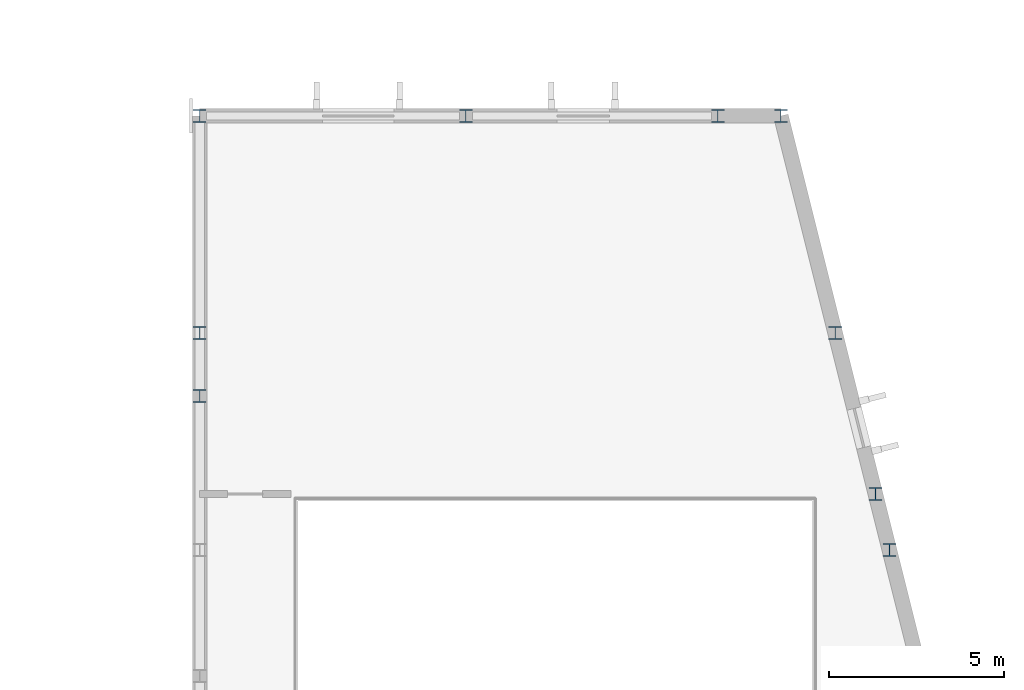
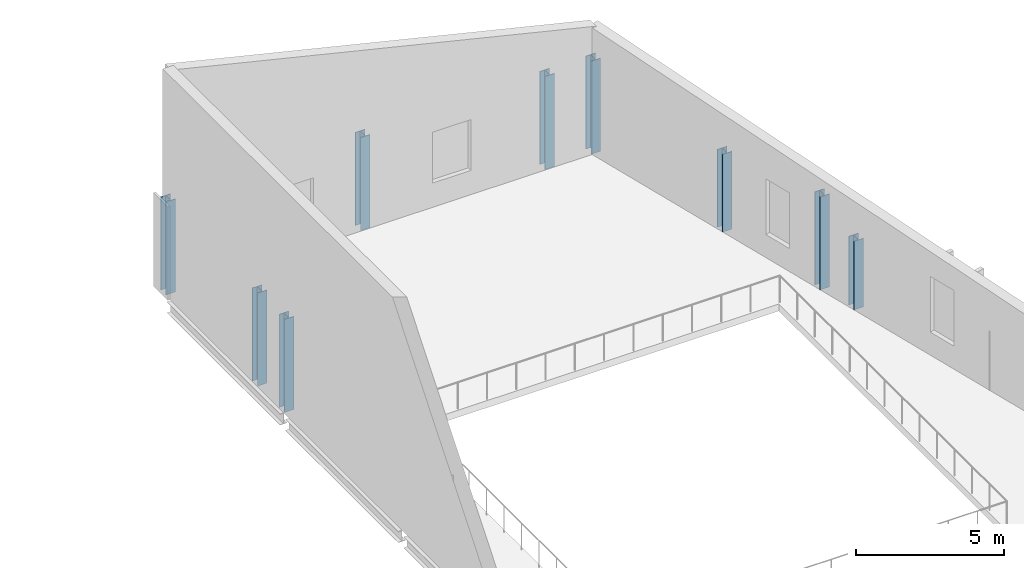
# One storey, part 10 of 64: 9 columns.
"""IFC4 building model written with IfcOpenShell, lengths in metres."""

import ifcopenshell
import ifcopenshell.guid

model = None  # the IFC model being written
_history = None  # IfcOwnerHistory: only IFC2X3 demands one
_inside = {}  # id of a spatial element -> (the spatial element, [elements in it])
_under = {}  # id of a project, library or spatial element -> (it, [spatial elements below it])
_declared = {}  # id of a project -> (the project, [libraries it declares])
_typed = {}  # id of a type object -> (the type object, [elements of that type])
_made_of = {}  # id of a material, layer set ... -> (it, [elements and type objects made of it])


def new_model(schema):
    """Start an empty IFC model of exactly this schema.

    Asked for "IFC4X3", IfcOpenShell would pick the latest addendum, in which some entities
    have other attributes; the version numbers below select the first issue.
    IFC2X3 requires an IfcOwnerHistory on every rooted entity: one is made here for all.
    """
    global model, _history
    if schema == "IFC4X3":
        model = ifcopenshell.file(schema_version=(4, 3, 0, 0))
    else:
        model = ifcopenshell.file(schema=schema)
    _inside.clear()
    _under.clear()
    _declared.clear()
    _typed.clear()
    _made_of.clear()
    _history = None
    if model.schema == "IFC2X3":
        org = make("IfcOrganization", Name="unknown")
        user = make(
            "IfcPersonAndOrganization",
            ThePerson=make("IfcPerson", FamilyName="unknown"),
            TheOrganization=org,
        )
        app = make(
            "IfcApplication",
            ApplicationDeveloper=org,
            Version="unknown",
            ApplicationFullName="unknown",
            ApplicationIdentifier="unknown",
        )
        _history = make(
            "IfcOwnerHistory",
            OwningUser=user,
            OwningApplication=app,
            ChangeAction="ADDED",
            CreationDate=0,
        )
    return model


def make(cls, **values):
    """One entity of the class cls with the attributes given. An attribute that is None is left unset."""
    return model.create_entity(
        cls, **{name: value for name, value in values.items() if value is not None}
    )


def rooted(cls, **values):
    """An entity with a GlobalId (a new one), such as an element, a storey or a relation."""
    return make(cls, GlobalId=ifcopenshell.guid.new(), OwnerHistory=_history, **values)


def si_unit(unit_type, name, prefix=None):
    """IfcSIUnit, for example si_unit("LENGTHUNIT", "METRE", prefix="MILLI")."""
    return make("IfcSIUnit", UnitType=unit_type, Prefix=prefix, Name=name)


def assignment(units):
    """IfcUnitAssignment: the units of a project."""
    return None if units is None else make("IfcUnitAssignment", Units=units)


def point(xyz):
    """IfcCartesianPoint."""
    return None if xyz is None else make("IfcCartesianPoint", Coordinates=xyz)


def direction(xyz):
    """IfcDirection."""
    return None if xyz is None else make("IfcDirection", DirectionRatios=xyz)


def frame(location, z_axis=None, x_axis=None):
    """IfcAxis2Placement3D, a coordinate frame: its origin and axes. An axis left out is left unset."""
    return make(
        "IfcAxis2Placement3D",
        Location=point(location),
        Axis=direction(z_axis),
        RefDirection=direction(x_axis),
    )


def frame_2d(location, x_axis=None):
    """IfcAxis2Placement2D, a coordinate frame in the plane: its origin and x axis."""
    return make(
        "IfcAxis2Placement2D", Location=point(location), RefDirection=direction(x_axis)
    )


def origin():
    """The frame at (0, 0, 0) with its axes left unset."""
    return frame((0.0, 0.0, 0.0))


def origin_2d():
    """The frame at (0, 0) in the plane with its x axis left unset."""
    return frame_2d((0.0, 0.0))


def place(relative_to, where):
    """IfcLocalPlacement: puts the frame where relative to a parent placement (None: the world)."""
    return make(
        "IfcLocalPlacement", PlacementRelTo=relative_to, RelativePlacement=where
    )


def context(
    kind, dimensions, precision=None, world=None, true_north=None, identifier=None
):
    """IfcGeometricRepresentationContext, for example the 3D "Model" context."""
    return make(
        "IfcGeometricRepresentationContext",
        ContextIdentifier=identifier,
        ContextType=kind,
        CoordinateSpaceDimension=dimensions,
        Precision=precision,
        WorldCoordinateSystem=world,
        TrueNorth=true_north,
    )


def subcontext(parent, identifier, kind, view, scale=None):
    """IfcGeometricRepresentationSubContext, for example "Body" below "Model"."""
    return make(
        "IfcGeometricRepresentationSubContext",
        ContextIdentifier=identifier,
        ContextType=kind,
        ParentContext=parent,
        TargetScale=scale,
        TargetView=view,
    )


def project(units=None, contexts=None):
    """IfcProject with its units and contexts."""
    return rooted(
        "IfcProject",
        Name="project",
        RepresentationContexts=contexts,
        UnitsInContext=assignment(units),
    )


def spatial(cls, under=None, at=None, **own):
    """A site, building, storey or space (cls), placed at a placement, below another one or the project."""
    s = rooted(cls, ObjectPlacement=at, **own)
    if under is not None:
        _under.setdefault(under.id(), (under, []))[1].append(s)
    return s


def profile(cls, at=None, kind="AREA", **sizes):
    """A parametric profile (cls). Its sizes go by their IFC names, for example OverallWidth=200.0."""
    return make(cls, ProfileType=kind, Position=at, **sizes)


def i_section(**sizes):
    """IfcIShapeProfileDef."""
    return profile("IfcIShapeProfileDef", **sizes)


def extrude(swept, where, along, depth):
    """IfcExtrudedAreaSolid: the profile swept, set in the frame where, extruded along a direction by depth."""
    return make(
        "IfcExtrudedAreaSolid",
        SweptArea=swept,
        Position=where,
        ExtrudedDirection=direction(along),
        Depth=depth,
    )


def shape(context_of_items, identifier, shape_type, items):
    """IfcShapeRepresentation: the items that make up one representation, for example the "Body"."""
    return make(
        "IfcShapeRepresentation",
        ContextOfItems=context_of_items,
        RepresentationIdentifier=identifier,
        RepresentationType=shape_type,
        Items=items,
    )


def material(Name=None, Category=None):
    """IfcMaterial."""
    return make("IfcMaterial", Name=Name, Category=Category)


def material_profile(
    of_material, cross_section, Name=None, Category=None, Priority=None
):
    """IfcMaterialProfile: a cross section and its material."""
    return make(
        "IfcMaterialProfile",
        Name=Name,
        Material=of_material,
        Profile=cross_section,
        Priority=Priority,
        Category=Category,
    )


def profile_set(profiles, Name=None, composite=None):
    """IfcMaterialProfileSet."""
    return make(
        "IfcMaterialProfileSet",
        Name=Name,
        MaterialProfiles=profiles,
        CompositeProfile=composite,
    )


def made_of(thing, what):
    """Note that an element or type object is made of a material, layer set ...; save() writes the relation."""
    if what is not None:
        _made_of.setdefault(what.id(), (what, []))[1].append(thing)
    return thing


def type_object(cls, material=None, **own):
    """A type object (cls), such as IfcWallType, which elements share."""
    return made_of(rooted(cls, **own), material)


def element(
    cls,
    number,
    at=None,
    inside=None,
    cuts=None,
    type_object=None,
    material=None,
    context=None,
    identifier="Body",
    shape_type=None,
    held_by="IfcProductDefinitionShape",
    body=None,
    shapes=None,
    **own,
):
    """One element of the class cls, such as IfcWall. Its Tag is "e" and its number.

    at: its placement. inside: the storey or other place that contains it. cuts: it is an
    opening in that element (IfcRelVoidsElement). A single representation is given by context,
    identifier, shape_type and body (its items); several are given by shapes. held_by: the class
    of the entity that holds the representations. save() writes the other relations.
    """
    e = rooted(cls, Tag="e%d" % number, ObjectPlacement=at, **own)
    if body is not None:
        shapes = [shape(context, identifier, shape_type, body)]
    if shapes is not None:
        e.Representation = make(held_by, Representations=shapes)
    if inside is not None:
        _inside.setdefault(inside.id(), (inside, []))[1].append(e)
    if cuts is not None:
        rooted(
            "IfcRelVoidsElement", RelatingBuildingElement=cuts, RelatedOpeningElement=e
        )
    if type_object is not None:
        _typed.setdefault(type_object.id(), (type_object, []))[1].append(e)
    return made_of(e, material)


def aggregate(whole, parts):
    """IfcRelAggregates: a whole, such as a stair, and the parts it consists of."""
    return rooted("IfcRelAggregates", RelatingObject=whole, RelatedObjects=parts)


def save(model, path):
    """Write the relations noted so far, then the file.

    IfcRelAggregates (storeys below a building ...), IfcRelContainedInSpatialStructure (elements
    in a storey), IfcRelDefinesByType, IfcRelAssociatesMaterial and IfcRelDeclares: one each for
    every whole, place, type object, material and project.
    """
    for whole, parts in _under.values():
        aggregate(whole, parts)
    for where, things in _inside.values():
        rooted(
            "IfcRelContainedInSpatialStructure",
            RelatedElements=things,
            RelatingStructure=where,
        )
    for kind, things in _typed.values():
        rooted("IfcRelDefinesByType", RelatedObjects=things, RelatingType=kind)
    for what, things in _made_of.values():
        rooted("IfcRelAssociatesMaterial", RelatedObjects=things, RelatingMaterial=what)
    for by, libraries in _declared.values():
        rooted("IfcRelDeclares", RelatingContext=by, RelatedDefinitions=libraries)
    model.write(path)


model = new_model("IFC4")

# Units and contexts
model_context = context("Model", 3, precision=1e-05, world=origin(), true_north=direction((0.0, 1.0)))
body_context = subcontext(model_context, "Body", "Model", "MODEL_VIEW")
ifc_project = project(units=[si_unit("LENGTHUNIT", "METRE"), si_unit("AREAUNIT", "SQUARE_METRE"), si_unit("VOLUMEUNIT", "CUBIC_METRE"), si_unit("PLANEANGLEUNIT", "RADIAN"), si_unit("MASSUNIT", "GRAM", prefix="KILO")], contexts=[model_context])

# Site, building, storey
site_placement = place(None, origin())
site = spatial("IfcSite", under=ifc_project, at=site_placement, CompositionType="ELEMENT")
building_placement = place(site_placement, origin())
building = spatial("IfcBuilding", under=site, at=building_placement, Name="Vervanel Yard Central Library", CompositionType="ELEMENT")
storey_placement = place(building_placement, frame((0.0, 0.0, 8.93994140625)))
storey = spatial("IfcBuildingStorey", under=building, at=storey_placement, Name="L02", CompositionType="ELEMENT", Elevation=8.93994140625)

# Columns
ifc_material = material(Name="Steel ASTM A992 Grade 50", Category="steel")
ifc_material_profile = material_profile(ifc_material, i_section(OverallWidth=0.373291015625, OverallDepth=0.368408203125, WebThickness=0.014892578125, FlangeThickness=0.02392578125, at=origin_2d()), Name="W14X120", Category="steel")
ifc_profile_set = profile_set([ifc_material_profile], Name="Steel ASTM A992 Grade 50")
column_type = type_object("IfcColumnType", Name="Steel Column W14X120", PredefinedType="COLUMN", material=ifc_profile_set)
for number, where, z_axis, x_axis, name in (
    (1, (146.0, 98.0, 0.0), (0.0, 0.0, 1.0), (1.0, 0.0, 0.0), "L02 Steel Column W14X120 (146.0, 98.0)"),
    (2, (146.0, 106.0, 0.0), (0.0, 0.0, 1.0), (1.0, 0.0, 0.0), "L02 Steel Column W14X120 (146.0, 106.0)"),
    (3, (153.60009765625, 106.0, 0.0), (0.0, 0.0, 1.0), (1.0, 0.0, 0.0), "L02 Steel Column W14X120 (153.6, 106.0)"),
    (4, (160.800048828125, 106.0, 0.0), (0.0, 0.0, 1.0), (1.0, 0.0, 0.0), "L02 Steel Column W14X120 (160.8, 106.0)"),
    (5, (162.60009765625, 106.0, 0.0), (0.0, 0.0, 1.0), (1.0, 0.0, 0.0), "L02 Steel Column W14X120 (162.6, 106.0)"),
    (6, (165.300048828125, 95.199951171875, 0.0), (0.0, 0.0, 1.0), (1.0, 0.0, 0.0), "L02 Steel Column W14X120 (165.3, 95.2)"),
):
    element("IfcColumn", number, at=place(storey_placement, frame(where, z_axis=z_axis, x_axis=x_axis)), inside=storey, type_object=column_type, Name=name, PredefinedType="COLUMN", context=body_context, shape_type="SweptSolid", body=[
        extrude(i_section(OverallWidth=0.373291015625, OverallDepth=0.368408203125, WebThickness=0.014892578125, FlangeThickness=0.02392578125, at=origin_2d()), origin(), (0.0, 0.0, 1.0), 3.840087890625),
    ])
column_1_placement = place(storey_placement, frame((165.699951171875, 93.60009765625, 0.0), z_axis=(0.0, 0.0, 1.0), x_axis=(1.0, 0.0, 0.0)))
element("IfcColumn", 7, at=column_1_placement, inside=storey, type_object=column_type, Name="L02 Auditorium East Post 4", PredefinedType="COLUMN", context=body_context, shape_type="SweptSolid", body=[
    extrude(i_section(OverallWidth=0.373291015625, OverallDepth=0.368408203125, WebThickness=0.014892578125, FlangeThickness=0.02392578125, at=origin_2d()), origin(), (0.0, 0.0, 1.0), 2.834228515625),
])
column_2_placement = place(storey_placement, frame((146.0, 99.800048828125, 0.0), z_axis=(0.0, 0.0, 1.0), x_axis=(1.0, 0.0, 0.0)))
element("IfcColumn", 8, at=column_2_placement, inside=storey, type_object=column_type, Name="L02 Auditorium West Post 5", PredefinedType="COLUMN", context=body_context, shape_type="SweptSolid", body=[
    extrude(i_section(OverallWidth=0.373291015625, OverallDepth=0.368408203125, WebThickness=0.014892578125, FlangeThickness=0.02392578125, at=origin_2d()), origin(), (0.0, 0.0, 1.0), 3.840087890625),
])
column_3_placement = place(storey_placement, frame((164.14990234375, 99.800048828125, 0.0), z_axis=(0.0, 0.0, 1.0), x_axis=(1.0, 0.0, 0.0)))
element("IfcColumn", 9, at=column_3_placement, inside=storey, type_object=column_type, Name="L02 Auditorium East Post 5", PredefinedType="COLUMN", context=body_context, shape_type="SweptSolid", body=[
    extrude(i_section(OverallWidth=0.373291015625, OverallDepth=0.368408203125, WebThickness=0.014892578125, FlangeThickness=0.02392578125, at=origin_2d()), origin(), (0.0, 0.0, 1.0), 3.20751953125),
])

save(model, "model.ifc")
